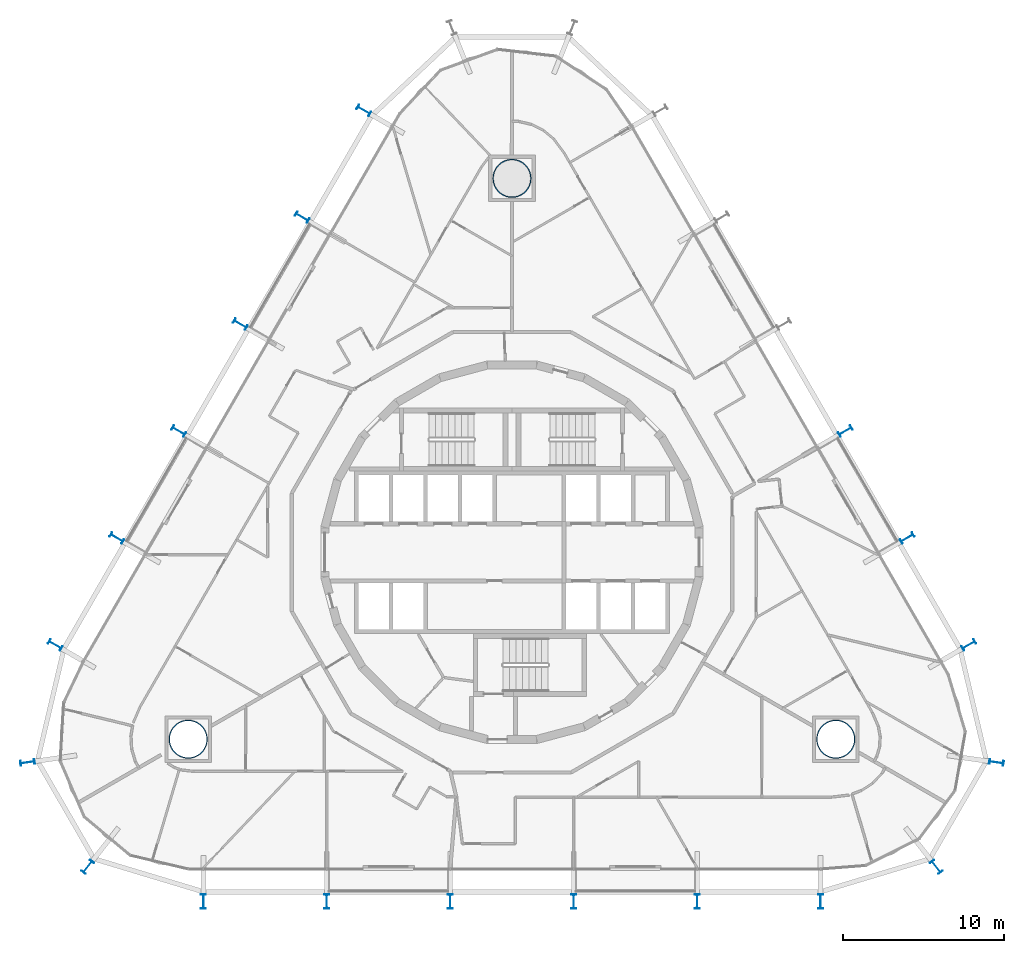
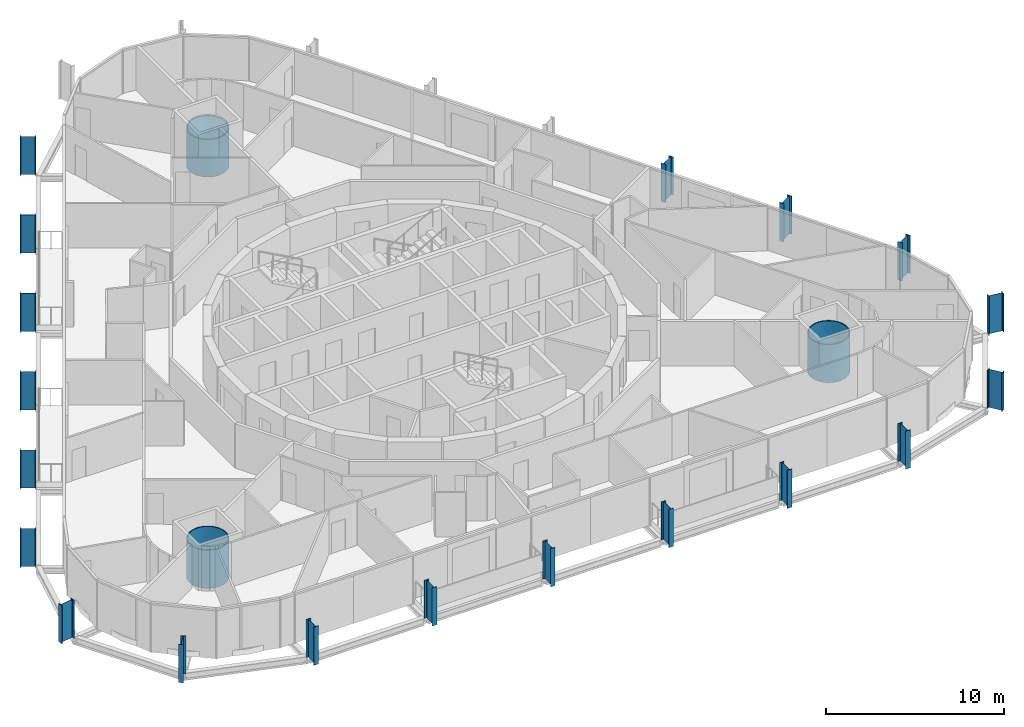
# One storey, part 1 of 20: 22 columns.
"""IFC4 building model written with IfcOpenShell, lengths in metres."""

from ifc_helpers import new_model, si_unit, direction, frame, origin, origin_2d, place, context, subcontext, project, spatial, hollow_circle, i_section, extrude, material, material_profile, profile_set, type_object, element, save


model = new_model("IFC4")

# Units and contexts
model_context = context("Model", 3, precision=1e-05, world=origin(), true_north=direction((0.0, 1.0)))
body_context = subcontext(model_context, "Body", "Model", "MODEL_VIEW")
ifc_project = project(units=[si_unit("LENGTHUNIT", "METRE"), si_unit("AREAUNIT", "SQUARE_METRE"), si_unit("VOLUMEUNIT", "CUBIC_METRE"), si_unit("PLANEANGLEUNIT", "RADIAN"), si_unit("MASSUNIT", "GRAM", prefix="KILO")], contexts=[model_context])

# Site, building, storey
site_placement = place(None, origin())
site = spatial("IfcSite", under=ifc_project, at=site_placement, CompositionType="ELEMENT")
building_placement = place(site_placement, origin())
building = spatial("IfcBuilding", under=site, at=building_placement, Name="Spindle Arch Residences", CompositionType="ELEMENT")
storey_placement = place(building_placement, frame((0.0, 0.0, 66.39990234375)))
storey = spatial("IfcBuildingStorey", under=building, at=storey_placement, Name="L15", CompositionType="ELEMENT", Elevation=66.39990234375)

# Columns
ifc_material_1 = material(Name="Steel S460ML, intumescent coating R 240", Category="steel")
ifc_material_profile_1 = material_profile(ifc_material_1, i_section(OverallWidth=0.300048828125, OverallDepth=0.89990234375, WebThickness=0.0185546875, FlangeThickness=0.034912109375, FilletRadius=0.030029296875, at=origin_2d()), Name="HEB 900")
ifc_profile_set_1 = profile_set([ifc_material_profile_1], Name="Steel S460ML, intumescent coating R 240")
column_type_1 = type_object("IfcColumnType", Name="Exoskeleton post HEB 900", PredefinedType="COLUMN", material=ifc_profile_set_1)
for number, where, z_axis, x_axis, name in (
    (1, (3.840087890625, -21.72998046875, -0.3798828125), (0.0, 0.0, 1.0), (-1.0, 0.0, 0.0), "Exoskeleton post 1"),
    (2, (11.52001953125, -21.72998046875, -0.3798828125), (0.0, 0.0, 1.0), (-1.0, 0.0, 0.0), "Exoskeleton post 2"),
    (3, (19.2001953125, -21.72998046875, -0.3798828125), (0.0, 0.0, 1.0), (-1.0, 0.0, 0.0), "Exoskeleton post 3"),
    (4, (26.3916015625, -19.565185546875, -0.3798828125), (0.0, 0.0, 1.0), (-0.7856835335, -0.618628632693, 0.0), "Exoskeleton post 4"),
    (5, (30.139892578125, -13.0732421875, -0.3798828125), (0.0, 0.0, 1.0), (-0.142906037553, -0.989736260036, 0.0), "Exoskeleton post 5"),
    (6, (28.418701171875, -5.762939453125, -0.3798828125), (0.0, 0.0, 1.0), (0.50000017485, -0.866025302835, 0.0), "Exoskeleton post 6"),
    (7, (24.57861328125, 0.88818359375, -0.3798828125), (0.0, 0.0, 1.0), (0.50000017485, -0.866025302835, 0.0), "Exoskeleton post 7"),
    (8, (20.73876953125, 7.539306640625, -0.3798828125), (0.0, 0.0, 1.0), (0.50000017485, -0.866025302835, 0.0), "Exoskeleton post 8"),
    (9, (-9.218505859375, 27.492919921875, -0.3798828125), (0.0, 0.0, 1.0), (0.50000017485, 0.866025302835, 0.0), "Exoskeleton post 14"),
    (10, (-13.05859375, 20.841796875, -0.3798828125), (0.0, 0.0, 1.0), (0.50000017485, 0.866025302835, 0.0), "Exoskeleton post 15"),
    (11, (-16.898681640625, 14.1904296875, -0.3798828125), (0.0, 0.0, 1.0), (0.50000017485, 0.866025302835, 0.0), "Exoskeleton post 16"),
    (12, (-20.73876953125, 7.539306640625, -0.3798828125), (0.0, 0.0, 1.0), (0.50000017485, 0.866025302835, 0.0), "Exoskeleton post 17"),
    (13, (-24.57861328125, 0.88818359375, -0.3798828125), (0.0, 0.0, 1.0), (0.50000017485, 0.866025302835, 0.0), "Exoskeleton post 18"),
    (14, (-28.418701171875, -5.762939453125, -0.3798828125), (0.0, 0.0, 1.0), (0.50000017485, 0.866025302835, 0.0), "Exoskeleton post 19"),
    (15, (-30.139892578125, -13.0732421875, -0.3798828125), (0.0, 0.0, 1.0), (-0.142906037553, 0.989736260036, 0.0), "Exoskeleton post 20"),
    (16, (-26.3916015625, -19.565185546875, -0.3798828125), (0.0, 0.0, 1.0), (-0.7856835335, 0.618628632693, 0.0), "Exoskeleton post 21"),
    (17, (-19.2001953125, -21.72998046875, -0.3798828125), (0.0, 0.0, 1.0), (-1.0, 0.0, 0.0), "Exoskeleton post 22"),
    (18, (-11.52001953125, -21.72998046875, -0.3798828125), (0.0, 0.0, 1.0), (-1.0, 0.0, 0.0), "Exoskeleton post 23"),
    (19, (-3.840087890625, -21.72998046875, -0.3798828125), (0.0, 0.0, 1.0), (-1.0, 0.0, 0.0), "Exoskeleton post 24"),
):
    element("IfcColumn", number, at=place(storey_placement, frame(where, z_axis=z_axis, x_axis=x_axis)), inside=storey, type_object=column_type_1, Name=name, PredefinedType="COLUMN", context=body_context, shape_type="SweptSolid", body=[
        extrude(i_section(OverallWidth=0.300048828125, OverallDepth=0.89990234375, WebThickness=0.0185546875, FlangeThickness=0.034912109375, FilletRadius=0.030029296875, at=origin_2d()), origin(), (0.0, 0.0, 1.0), 2.615966796875),
    ])
ifc_material_2 = material(Name="Concrete C50/60 filled steel tube S460ML, intumescent coating R 240", Category="concrete")
ifc_material_profile_2 = material_profile(ifc_material_2, hollow_circle(Radius=1.199951171875, WallThickness=0.06005859375, at=origin_2d()), Name="CFT D2400x60")
ifc_profile_set_2 = profile_set([ifc_material_profile_2], Name="Concrete C50/60 filled steel tube S460ML, intumescent coating R 240")
column_type_2 = type_object("IfcColumnType", Name="Mega-column CFT D2400x60", PredefinedType="COLUMN", material=ifc_profile_set_2)
column_1_placement = place(storey_placement, frame((20.1435546875, -11.6298828125, -0.3798828125), z_axis=(0.0, 0.0, 1.0), x_axis=(1.0, 0.0, 0.0)))
element("IfcColumn", 20, at=column_1_placement, inside=storey, type_object=column_type_2, Name="Mega-column 1", PredefinedType="COLUMN", context=body_context, shape_type="SweptSolid", body=[
    extrude(hollow_circle(Radius=1.199951171875, WallThickness=0.06005859375, at=origin_2d()), origin(), (0.0, 0.0, 1.0), 2.615966796875),
])
column_2_placement = place(storey_placement, frame((0.0, 23.259765625, -0.3798828125), z_axis=(0.0, 0.0, 1.0), x_axis=(1.0, 0.0, 0.0)))
element("IfcColumn", 21, at=column_2_placement, inside=storey, type_object=column_type_2, Name="Mega-column 2", PredefinedType="COLUMN", context=body_context, shape_type="SweptSolid", body=[
    extrude(hollow_circle(Radius=1.199951171875, WallThickness=0.06005859375, at=origin_2d()), origin(), (0.0, 0.0, 1.0), 2.575927734375),
])
column_3_placement = place(storey_placement, frame((-20.1435546875, -11.6298828125, -0.3798828125), z_axis=(0.0, 0.0, 1.0), x_axis=(1.0, 0.0, 0.0)))
element("IfcColumn", 22, at=column_3_placement, inside=storey, type_object=column_type_2, Name="Mega-column 3", PredefinedType="COLUMN", context=body_context, shape_type="SweptSolid", body=[
    extrude(hollow_circle(Radius=1.199951171875, WallThickness=0.06005859375, at=origin_2d()), origin(), (0.0, 0.0, 1.0), 2.615966796875),
])

save(model, "model.ifc")
